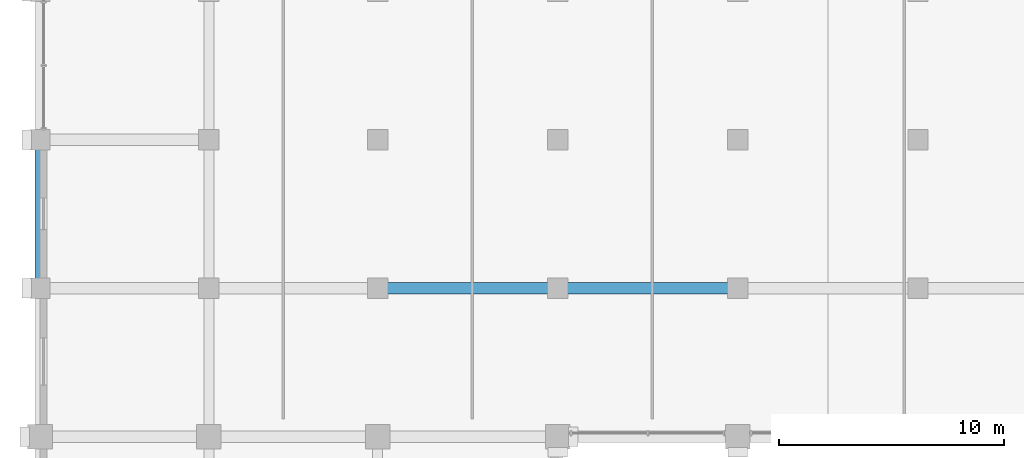
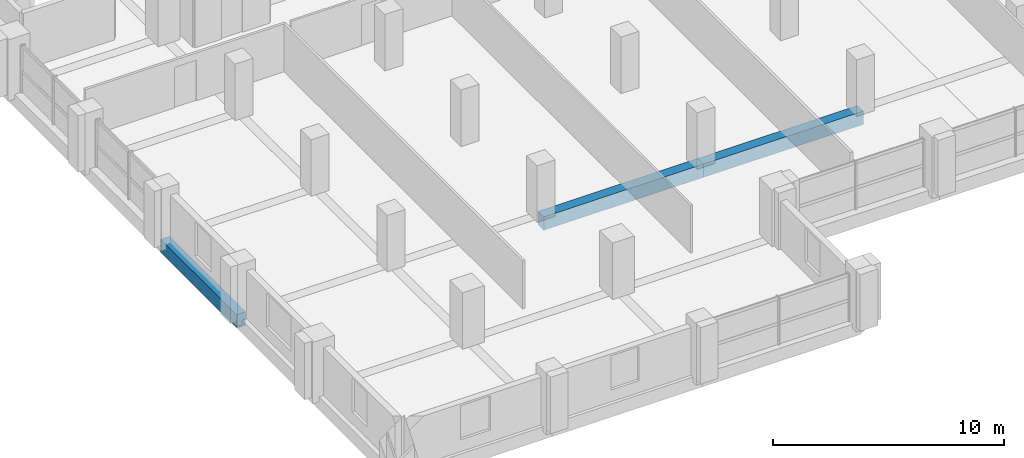
# One storey, part 3 of 21: 3 beams.
"""IFC4 building model written with IfcOpenShell, lengths in metres."""

from ifc_helpers import new_model, si_unit, direction, frame, origin, origin_2d, place, context, subcontext, project, spatial, rectangle, extrude, material, material_profile, profile_set, type_object, element, save


model = new_model("IFC4")

# Units and contexts
model_context = context("Model", 3, precision=1e-05, world=origin(), true_north=direction((0.0, 1.0)))
body_context = subcontext(model_context, "Body", "Model", "MODEL_VIEW")
ifc_project = project(units=[si_unit("LENGTHUNIT", "METRE"), si_unit("AREAUNIT", "SQUARE_METRE"), si_unit("VOLUMEUNIT", "CUBIC_METRE"), si_unit("PLANEANGLEUNIT", "RADIAN"), si_unit("MASSUNIT", "GRAM", prefix="KILO")], contexts=[model_context])

# Site, building, storey
site_placement = place(None, origin())
site = spatial("IfcSite", under=ifc_project, at=site_placement, CompositionType="ELEMENT")
building_placement = place(site_placement, origin())
building = spatial("IfcBuilding", under=site, at=building_placement, Name="Akrevak Sports Hall", CompositionType="ELEMENT")
storey_placement = place(building_placement, frame((0.0, 0.0, 27.550048828125)))
storey = spatial("IfcBuildingStorey", under=building, at=storey_placement, Name="L05", CompositionType="ELEMENT", Elevation=27.550048828125)

# Beams
ifc_material = material(Name="Concrete C40/50", Category="concrete")
ifc_material_profile_1 = material_profile(ifc_material, rectangle(XDim=0.449951171875, YDim=0.699951171875, at=origin_2d()), Name="BM 450x700", Category="concrete")
ifc_profile_set_1 = profile_set([ifc_material_profile_1], Name="Concrete C40/50")
beam_type_1 = type_object("IfcBeamType", Name="STR-BM-RC450x700", PredefinedType="BEAM", material=ifc_profile_set_1)
beam_placement = place(storey_placement, frame((45.0, 35.39990234375, -0.35009765625), z_axis=(0.0, 1.0, 0.0), x_axis=(-1.0, 0.0, 0.0)))
element("IfcBeam", 1, at=beam_placement, inside=storey, type_object=beam_type_1, Name="Girder 7/F-G (L05)", PredefinedType="BEAM", context=body_context, shape_type="SweptSolid", body=[
    extrude(rectangle(XDim=0.449951171875, YDim=0.699951171875, at=origin_2d()), origin(), (0.0, 0.0, 1.0), 6.60009765625),
])
ifc_material_profile_2 = material_profile(ifc_material, rectangle(XDim=0.5, YDim=0.699951171875, at=origin_2d()), Name="BM 500x700", Category="concrete")
ifc_profile_set_2 = profile_set([ifc_material_profile_2], Name="Concrete C40/50")
beam_type_2 = type_object("IfcBeamType", Name="STR-BM-RC500x700", PredefinedType="BEAM", material=ifc_profile_set_2)
for number, where, z_axis, x_axis, name in (
    (2, (60.0, 35.39990234375, -0.35009765625), (1.0, 0.0, 0.0), (0.0, 1.0, 0.0), "Girder F/9-10 (L05)"),
    (3, (68.0, 35.39990234375, -0.35009765625), (1.0, 0.0, 0.0), (0.0, 1.0, 0.0), "Girder F/10-11 (L05)"),
):
    element("IfcBeam", number, at=place(storey_placement, frame(where, z_axis=z_axis, x_axis=x_axis)), inside=storey, type_object=beam_type_2, Name=name, PredefinedType="BEAM", context=body_context, shape_type="SweptSolid", body=[
        extrude(rectangle(XDim=0.5, YDim=0.699951171875, at=origin_2d()), origin(), (0.0, 0.0, 1.0), 8.0),
    ])

save(model, "model.ifc")
